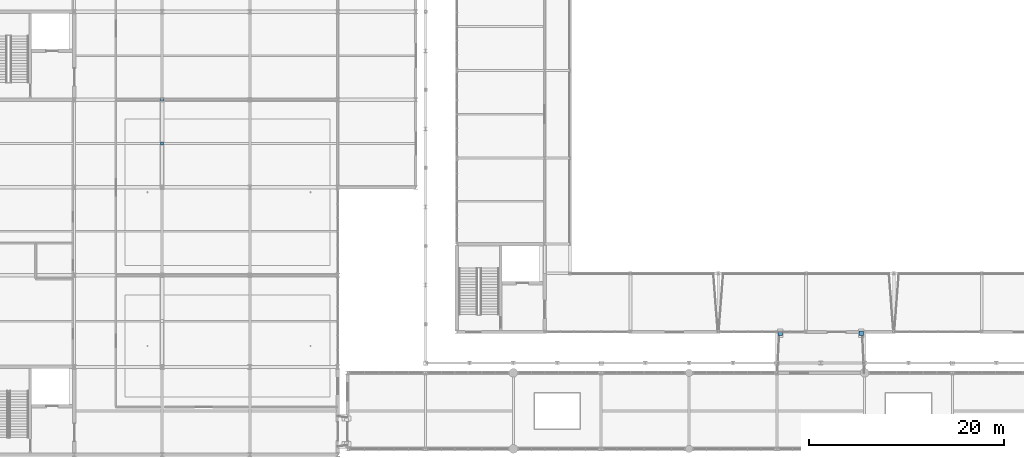
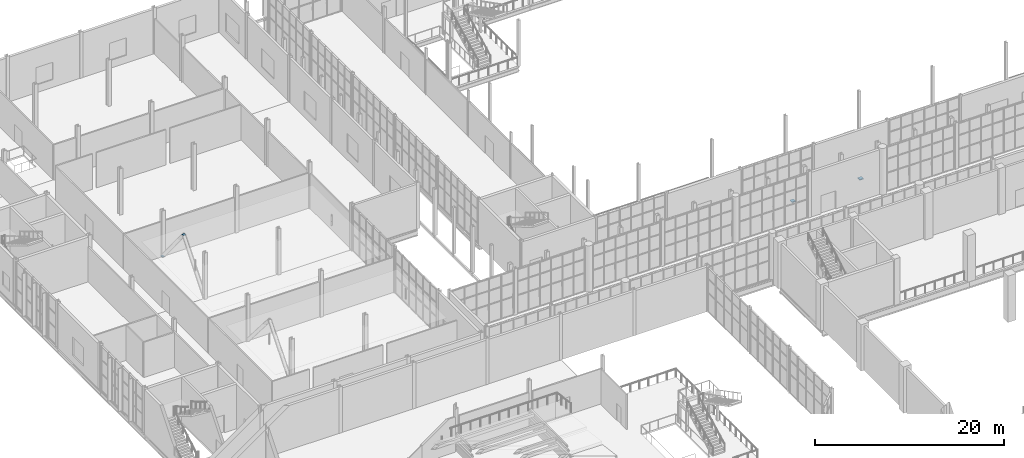
# One storey, part 136 of 159: 4 discrete accessories.
"""IFC4 building model written with IfcOpenShell, lengths in metres."""

from ifc_helpers import new_model, si_unit, direction, frame, origin, origin_2d, place, context, subcontext, project, spatial, rectangle, extrude, material, type_object, element, save


model = new_model("IFC4")

# Units and contexts
model_context = context("Model", 3, precision=1e-05, world=origin(), true_north=direction((0.0, 1.0)))
body_context = subcontext(model_context, "Body", "Model", "MODEL_VIEW")
ifc_project = project(units=[si_unit("LENGTHUNIT", "METRE"), si_unit("AREAUNIT", "SQUARE_METRE"), si_unit("VOLUMEUNIT", "CUBIC_METRE"), si_unit("PLANEANGLEUNIT", "RADIAN"), si_unit("MASSUNIT", "GRAM", prefix="KILO")], contexts=[model_context])

# Site, building, storey
site_placement = place(None, origin())
site = spatial("IfcSite", under=ifc_project, at=site_placement, CompositionType="ELEMENT")
building_placement = place(site_placement, origin())
building = spatial("IfcBuilding", under=site, at=building_placement, Name="Cazmaro Siding Exhibition Halls", CompositionType="ELEMENT")
storey_placement = place(building_placement, frame((0.0, 0.0, 6.0)))
storey = spatial("IfcBuildingStorey", under=building, at=storey_placement, Name="L01", CompositionType="ELEMENT", Elevation=6.0)

# Discrete accessories
ifc_material_1 = material(Name="PTFE Stainless Steel Elastomeric Bearing Assembly", Category="steel")
discrete_accessory_type_1 = type_object("IfcDiscreteAccessoryType", Name="SB-PTFE-01", PredefinedType="USERDEFINED", material=ifc_material_1)
for number, where, z_axis, x_axis, name in (
    (1, (81.35009765625, 67.050048828125, -0.571044921875), (0.0, 0.0, 1.0), (1.0, 0.0, 0.0), "Unguided Bi-Directional PTFE Sliding Bearing SB-01 L01"),
    (2, (89.64990234375, 67.050048828125, -0.571044921875), (0.0, 0.0, 1.0), (1.0, 0.0, 0.0), "Unguided Bi-Directional PTFE Sliding Bearing SB-01 L01"),
):
    element("IfcDiscreteAccessory", number, at=place(storey_placement, frame(where, z_axis=z_axis, x_axis=x_axis)), inside=storey, type_object=discrete_accessory_type_1, Name=name, ObjectType="SLIDING BEARING", PredefinedType="USERDEFINED", context=body_context, shape_type="SweptSolid", body=[
        extrude(rectangle(XDim=0.449951171875, YDim=0.449951171875, at=origin_2d()), origin(), (0.0, 0.0, 1.0), 0.1201171875),
    ])
ifc_material_2 = material(Name="Steel ASTM A572 Grade 50", Category="steel")
discrete_accessory_type_2 = type_object("IfcDiscreteAccessoryType", Name="GP-CONN-01", PredefinedType="BRACKET", material=ifc_material_2)
for number, where, z_axis, x_axis, name in (
    (3, (18.0, 86.5, 5.4970703125), (0.0, 0.0, 1.0), (1.0, 0.0, 0.0), "Welded Steel Brace Node Gusset Connection GP-01 0041"),
    (4, (18.0, 91.0, -0.01513671875), (0.0, 0.0, 1.0), (1.0, 0.0, 0.0), "Welded Steel Brace Node Gusset Connection GP-01 0045"),
):
    element("IfcDiscreteAccessory", number, at=place(storey_placement, frame(where, z_axis=z_axis, x_axis=x_axis)), inside=storey, type_object=discrete_accessory_type_2, Name=name, PredefinedType="BRACKET", context=body_context, shape_type="SweptSolid", body=[
        extrude(rectangle(XDim=0.320068359375, YDim=0.320068359375, at=origin_2d()), origin(), (0.0, 0.0, 1.0), 0.030029296875),
    ])

save(model, "model.ifc")
